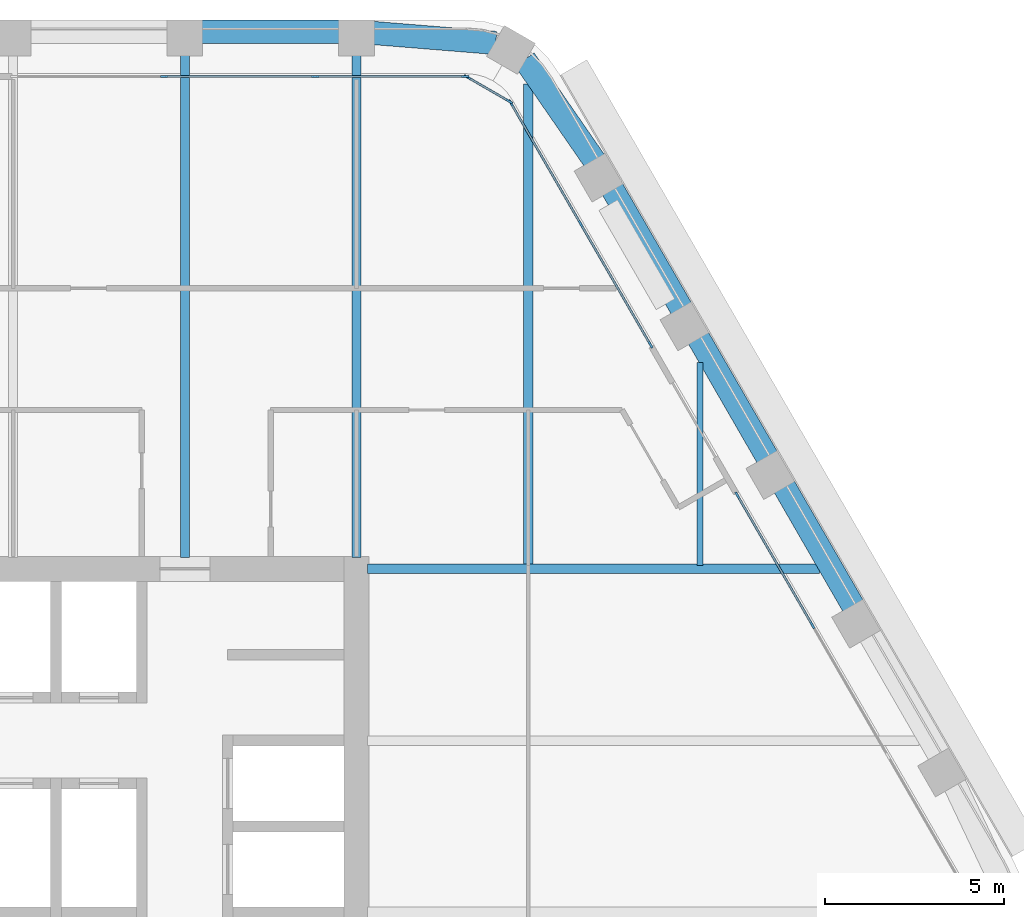
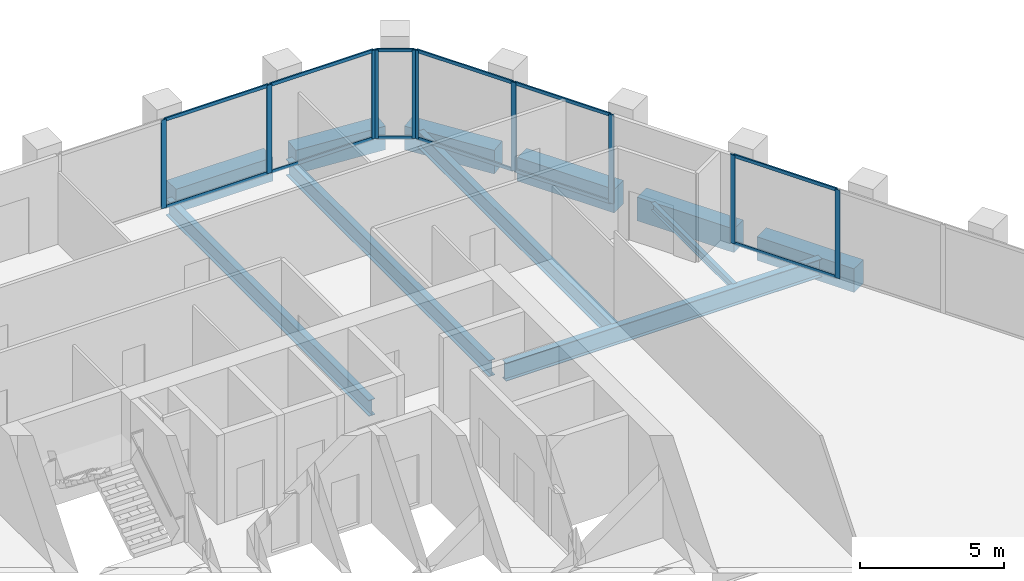
# One storey, part 6 of 15: 22 members, 11 beams, 4 elements without a shape of their own.
"""IFC4 building model written with IfcOpenShell, lengths in metres."""

from ifc_helpers import new_model, si_unit, direction, frame, origin, origin_2d, place, context, subcontext, project, spatial, rectangle, i_section, extrude, material, material_profile, profile_set, type_object, element, aggregate, save


model = new_model("IFC4")

# Units and contexts
model_context = context("Model", 3, precision=1e-05, world=origin(), true_north=direction((0.0, 1.0)))
body_context = subcontext(model_context, "Body", "Model", "MODEL_VIEW")
ifc_project = project(units=[si_unit("LENGTHUNIT", "METRE"), si_unit("AREAUNIT", "SQUARE_METRE"), si_unit("VOLUMEUNIT", "CUBIC_METRE"), si_unit("PLANEANGLEUNIT", "RADIAN"), si_unit("MASSUNIT", "GRAM", prefix="KILO")], contexts=[model_context])

# Site, building, storey
site_placement = place(None, origin())
site = spatial("IfcSite", under=ifc_project, at=site_placement, CompositionType="ELEMENT")
building_placement = place(site_placement, origin())
building = spatial("IfcBuilding", under=site, at=building_placement, Name="Kolab Exchange Tower", CompositionType="ELEMENT")
storey_placement = place(building_placement, frame((0.0, 0.0, 138.800048828125)))
storey = spatial("IfcBuildingStorey", under=building, at=storey_placement, Name="L27", CompositionType="ELEMENT", Elevation=138.800048828125)

# Beams
ifc_material_1 = material(Name="Steel S355", Category="steel")
ifc_material_profile_1 = material_profile(ifc_material_1, i_section(OverallWidth=0.1650390625, OverallDepth=0.31005859375, WebThickness=0.005859375, FlangeThickness=0.009765625, at=origin_2d()), Name="W310X39")
ifc_profile_set_1 = profile_set([ifc_material_profile_1], Name="Steel S355")
beam_type_1 = type_object("IfcBeamType", Name="FLOOR BEAM W310X39", PredefinedType="BEAM", material=ifc_profile_set_1)
beam_1_placement = place(storey_placement, frame((19.199951171875, 9.693603515625, -0.304931640625), z_axis=(0.0, 1.0, 0.0), x_axis=(-1.0, 0.0, 0.0)))
element("IfcBeam", 1, at=beam_1_placement, inside=storey, type_object=beam_type_1, Name="beam/L27/fr/023", PredefinedType="BEAM", context=body_context, shape_type="SweptSolid", body=[
    extrude(i_section(OverallWidth=0.1650390625, OverallDepth=0.31005859375, WebThickness=0.005859375, FlangeThickness=0.009765625, at=origin_2d()), origin(), (0.0, 0.0, 1.0), 5.674072265625),
])
ifc_material_profile_2 = material_profile(ifc_material_1, i_section(OverallWidth=0.25390625, OverallDepth=0.68408203125, WebThickness=0.012451171875, FlangeThickness=0.018798828125, at=origin_2d()), Name="W690X140")
ifc_profile_set_2 = profile_set([ifc_material_profile_2], Name="Steel S355")
beam_type_2 = type_object("IfcBeamType", Name="FLOOR BEAM W690X140", PredefinedType="BEAM", material=ifc_profile_set_2)
for number, where, z_axis, x_axis, name in (
    (2, (4.800048828125, 9.909912109375, -0.491943359375), (0.0, 1.0, 0.0), (-1.0, 0.0, 0.0), "beam/L27/fr/014"),
    (3, (9.60009765625, 9.909912109375, -0.491943359375), (0.0, 1.0, 0.0), (-1.0, 0.0, 0.0), "beam/L27/fr/016"),
):
    element("IfcBeam", number, at=place(storey_placement, frame(where, z_axis=z_axis, x_axis=x_axis)), inside=storey, type_object=beam_type_2, Name=name, PredefinedType="BEAM", context=body_context, shape_type="SweptSolid", body=[
        extrude(i_section(OverallWidth=0.25390625, OverallDepth=0.68408203125, WebThickness=0.012451171875, FlangeThickness=0.018798828125, at=origin_2d()), origin(), (0.0, 0.0, 1.0), 14.071533203125),
    ])
beam_2_placement = place(storey_placement, frame((14.39990234375, 9.693603515625, -0.491943359375), z_axis=(0.0, 1.0, 0.0), x_axis=(-1.0, 0.0, 0.0)))
element("IfcBeam", 4, at=beam_2_placement, inside=storey, type_object=beam_type_2, Name="beam/L27/fr/021", PredefinedType="BEAM", context=body_context, shape_type="SweptSolid", body=[
    extrude(i_section(OverallWidth=0.25390625, OverallDepth=0.68408203125, WebThickness=0.012451171875, FlangeThickness=0.018798828125, at=origin_2d()), origin(), (0.0, 0.0, 1.0), 13.462158203125),
])
ifc_material_profile_3 = material_profile(ifc_material_1, i_section(OverallWidth=0.26708984375, OverallDepth=0.761962890625, WebThickness=0.014404296875, FlangeThickness=0.021484375, at=origin_2d()), Name="W760X173")
ifc_profile_set_3 = profile_set([ifc_material_profile_3], Name="Steel S355")
beam_type_3 = type_object("IfcBeamType", Name="FLOOR GIRDER W760X173", PredefinedType="BEAM", material=ifc_profile_set_3)
beam_3_placement = place(storey_placement, frame((9.909912109375, 9.60009765625, -0.531005859375), z_axis=(1.0, 0.0, 0.0), x_axis=(0.0, 1.0, 0.0)))
element("IfcBeam", 5, at=beam_3_placement, inside=storey, type_object=beam_type_3, Name="beam/L27/gd/003", PredefinedType="BEAM", context=body_context, shape_type="SweptSolid", body=[
    extrude(i_section(OverallWidth=0.26708984375, OverallDepth=0.761962890625, WebThickness=0.014404296875, FlangeThickness=0.021484375, at=origin_2d()), origin(), (0.0, 0.0, 1.0), 12.636962890625),
])
ifc_material_2 = material(Name="Concrete C60/75", Category="concrete")
ifc_material_profile_4 = material_profile(ifc_material_2, rectangle(XDim=0.64990234375, YDim=1.0, at=origin_2d()), Name="RC650X1000")
ifc_profile_set_4 = profile_set([ifc_material_profile_4], Name="Concrete C60/75")
beam_type_4 = type_object("IfcBeamType", Name="SPANDREL BEAM 650X1000 C60/75", PredefinedType="BEAM", material=ifc_profile_set_4)
beam_4_placement = place(storey_placement, frame((5.260009765625, 24.616455078125, -0.650146484375), z_axis=(1.0, 0.0, 0.0), x_axis=(0.0, 1.0, 0.0)))
element("IfcBeam", 6, at=beam_4_placement, inside=storey, type_object=beam_type_4, Name="beam/L27/sp/F1-05", PredefinedType="BEAM", context=body_context, shape_type="SweptSolid", body=[
    extrude(rectangle(XDim=0.64990234375, YDim=1.0, at=origin_2d()), origin(), (0.0, 0.0, 1.0), 3.8798828125),
])
for number, where, z_axis, x_axis, name in (
    (7, (10.06005859375, 24.5791015625, -0.650146484375), (0.996708497182, -0.081068931445, 0.0), (0.081068931445, 0.996708497182, 0.0), "beam/L27/sp/F1-06"),
    (8, (14.29736328125, 23.8359375, -0.650146484375), (0.568572281073, -0.822633309073, 0.0), (0.822633309073, 0.568572281073, 0.0), "beam/L27/sp/F2-01"),
):
    element("IfcBeam", number, at=place(storey_placement, frame(where, z_axis=z_axis, x_axis=x_axis)), inside=storey, type_object=beam_type_4, Name=name, PredefinedType="BEAM", context=body_context, shape_type="SweptSolid", body=[
        extrude(rectangle(XDim=0.64990234375, YDim=1.0, at=origin_2d()), origin(), (0.0, 0.0, 1.0), 3.445068359375),
    ])
beam_5_placement = place(storey_placement, frame((16.74853515625, 20.2236328125, -0.650146484375), z_axis=(0.499996613652, -0.866027358884, 0.0), x_axis=(0.866027358884, 0.499996613652, 0.0)))
element("IfcBeam", 9, at=beam_5_placement, inside=storey, type_object=beam_type_4, Name="beam/L27/sp/F2-02", PredefinedType="BEAM", context=body_context, shape_type="SweptSolid", body=[
    extrude(rectangle(XDim=0.64990234375, YDim=1.0, at=origin_2d()), origin(), (0.0, 0.0, 1.0), 3.8798828125),
])
beam_6_placement = place(storey_placement, frame((19.1484375, 16.06689453125, -0.650146484375), z_axis=(0.50001655835, -0.866015843605, 0.0), x_axis=(0.866015843605, 0.50001655835, 0.0)))
element("IfcBeam", 10, at=beam_6_placement, inside=storey, type_object=beam_type_4, Name="beam/L27/sp/F2-03", PredefinedType="BEAM", context=body_context, shape_type="SweptSolid", body=[
    extrude(rectangle(XDim=0.64990234375, YDim=1.0, at=origin_2d()), origin(), (0.0, 0.0, 1.0), 3.880126953125),
])
beam_7_placement = place(storey_placement, frame((21.548583984375, 11.909912109375, -0.650146484375), z_axis=(0.499996613652, -0.866027358884, 0.0), x_axis=(0.866027358884, 0.499996613652, 0.0)))
element("IfcBeam", 11, at=beam_7_placement, inside=storey, type_object=beam_type_4, Name="beam/L27/sp/F2-04", PredefinedType="BEAM", context=body_context, shape_type="SweptSolid", body=[
    extrude(rectangle(XDim=0.64990234375, YDim=1.0, at=origin_2d()), origin(), (0.0, 0.0, 1.0), 3.8798828125),
])

# Curtain wall, members
ifc_material_3 = material(Name="Aluminium EN AW-6063 T6", Category="aluminium")
curtain_wall_type = type_object("IfcCurtainWallType", Name="UNITISED UPPER MID ZONE CURTAIN WALL", PredefinedType="NOTDEFINED", material=ifc_material_3)
curtain_wall_1_placement = place(storey_placement, origin())
curtain_wall_1 = element("IfcCurtainWall", 12, at=curtain_wall_1_placement, inside=storey, type_object=curtain_wall_type, Name="cw/L27/F1-2", PredefinedType="NOTDEFINED")
ifc_material_profile_5 = material_profile(ifc_material_3, rectangle(XDim=0.06005859375, YDim=0.199951171875, at=origin_2d()), Name="RECT 60X200")
ifc_profile_set_5 = profile_set([ifc_material_profile_5], Name="Aluminium EN AW-6063 T6")
member_type_1 = type_object("IfcMemberType", Name="UNITISED UPPER MID ZONE MULLION 60 X 200", PredefinedType="MULLION", material=ifc_profile_set_5)
member_1_placement = place(storey_placement, frame((4.22265625, 23.361572265625, 0.0), z_axis=(0.0, 0.0, 1.0), x_axis=(0.0, 1.0, 0.0)))
member_1 = element("IfcMember", 13, at=member_1_placement, type_object=member_type_1, Name="CW3 mullion 2", PredefinedType="MULLION", context=body_context, shape_type="SweptSolid", body=[
    extrude(rectangle(XDim=0.06005859375, YDim=0.199951171875, at=origin_2d()), origin(), (0.0, 0.0, 1.0), 3.75),
])
member_2_placement = place(storey_placement, frame((8.4453125, 23.361572265625, 0.0), z_axis=(0.0, 0.0, 1.0), x_axis=(0.0, 1.0, 0.0)))
member_2 = element("IfcMember", 14, at=member_2_placement, type_object=member_type_1, Name="CW3 mullion 3", PredefinedType="MULLION", context=body_context, shape_type="SweptSolid", body=[
    extrude(rectangle(XDim=0.06005859375, YDim=0.199951171875, at=origin_2d()), origin(), (0.0, 0.0, 1.0), 3.75),
])
member_3_placement = place(storey_placement, frame((12.637939453125, 23.361572265625, 0.0), z_axis=(0.0, 0.0, 1.0), x_axis=(0.0, 1.0, 0.0)))
member_3 = element("IfcMember", 15, at=member_3_placement, type_object=member_type_1, Name="CW3 mullion 4", PredefinedType="MULLION", context=body_context, shape_type="SweptSolid", body=[
    extrude(rectangle(XDim=0.06005859375, YDim=0.199951171875, at=origin_2d()), origin(), (0.0, 0.0, 1.0), 3.75),
])

curtain_wall_2_placement = place(storey_placement, origin())
curtain_wall_2 = element("IfcCurtainWall", 16, at=curtain_wall_2_placement, inside=storey, type_object=curtain_wall_type, Name="cw/L27/F2-1", PredefinedType="NOTDEFINED")
member_4_placement = place(storey_placement, frame((13.91259765625, 22.62548828125, 0.0), z_axis=(0.0, 0.0, 1.0), x_axis=(0.866025385493, 0.500000031681, 0.0)))
member_4 = element("IfcMember", 17, at=member_4_placement, type_object=member_type_1, Name="CW3 mullion 1", PredefinedType="MULLION", context=body_context, shape_type="SweptSolid", body=[
    extrude(rectangle(XDim=0.06005859375, YDim=0.199951171875, at=origin_2d()), origin(), (0.0, 0.0, 1.0), 3.75),
])
member_5_placement = place(storey_placement, frame((15.86474609375, 19.24462890625, 0.0), z_axis=(0.0, 0.0, 1.0), x_axis=(0.866025385493, 0.500000031681, 0.0)))
member_5 = element("IfcMember", 18, at=member_5_placement, type_object=member_type_1, Name="CW3 mullion 2", PredefinedType="MULLION", context=body_context, shape_type="SweptSolid", body=[
    extrude(rectangle(XDim=0.06005859375, YDim=0.199951171875, at=origin_2d()), origin(), (0.0, 0.0, 1.0), 3.75),
])
member_6_placement = place(storey_placement, frame((17.816650390625, 15.86376953125, 0.0), z_axis=(0.0, 0.0, 1.0), x_axis=(0.866025385493, 0.500000031681, 0.0)))
member_6 = element("IfcMember", 19, at=member_6_placement, type_object=member_type_1, Name="CW3 mullion 3", PredefinedType="MULLION", context=body_context, shape_type="SweptSolid", body=[
    extrude(rectangle(XDim=0.06005859375, YDim=0.199951171875, at=origin_2d()), origin(), (0.0, 0.0, 1.0), 3.75),
])

curtain_wall_3_placement = place(storey_placement, origin())
curtain_wall_3 = element("IfcCurtainWall", 20, at=curtain_wall_3_placement, inside=storey, type_object=curtain_wall_type, Name="cw/L27/F2-2", PredefinedType="NOTDEFINED")
member_7_placement = place(storey_placement, frame((20.24658203125, 11.65478515625, 0.0), z_axis=(0.0, 0.0, 1.0), x_axis=(0.866025427826, 0.499999958358, 0.0)))
member_7 = element("IfcMember", 21, at=member_7_placement, type_object=member_type_1, Name="CW3 mullion 1", PredefinedType="MULLION", context=body_context, shape_type="SweptSolid", body=[
    extrude(rectangle(XDim=0.06005859375, YDim=0.199951171875, at=origin_2d()), origin(), (0.0, 0.0, 1.0), 3.75),
])
member_8_placement = place(storey_placement, frame((22.343017578125, 8.02392578125, 0.0), z_axis=(0.0, 0.0, 1.0), x_axis=(0.866025427826, 0.499999958358, 0.0)))
member_8 = element("IfcMember", 22, at=member_8_placement, type_object=member_type_1, Name="CW3 mullion 2", PredefinedType="MULLION", context=body_context, shape_type="SweptSolid", body=[
    extrude(rectangle(XDim=0.06005859375, YDim=0.199951171875, at=origin_2d()), origin(), (0.0, 0.0, 1.0), 3.75),
])

curtain_wall_4_placement = place(storey_placement, origin())
curtain_wall_4 = element("IfcCurtainWall", 23, at=curtain_wall_4_placement, inside=storey, type_object=curtain_wall_type, Name="cw/L27/F1F2-corner", PredefinedType="NOTDEFINED")
member_9_placement = place(storey_placement, frame((12.69384765625, 23.346435546875, 0.0), z_axis=(0.0, 0.0, 1.0), x_axis=(0.50000002237, 0.866025390869, 0.0)))
member_9 = element("IfcMember", 24, at=member_9_placement, type_object=member_type_1, Name="CW3 mullion 1", PredefinedType="MULLION", context=body_context, shape_type="SweptSolid", body=[
    extrude(rectangle(XDim=0.06005859375, YDim=0.199951171875, at=origin_2d()), origin(), (0.0, 0.0, 1.0), 3.75),
])
member_10_placement = place(storey_placement, frame((13.871826171875, 22.66650390625, 0.0), z_axis=(0.0, 0.0, 1.0), x_axis=(0.50000002237, 0.866025390869, 0.0)))
member_10 = element("IfcMember", 25, at=member_10_placement, type_object=member_type_1, Name="CW3 mullion 2", PredefinedType="MULLION", context=body_context, shape_type="SweptSolid", body=[
    extrude(rectangle(XDim=0.06005859375, YDim=0.199951171875, at=origin_2d()), origin(), (0.0, 0.0, 1.0), 3.75),
])

# Member
ifc_material_profile_6 = material_profile(ifc_material_3, rectangle(XDim=0.06005859375, YDim=0.139892578125, at=origin_2d()), Name="RECT 60X140")
ifc_profile_set_6 = profile_set([ifc_material_profile_6], Name="Aluminium EN AW-6063 T6")
member_type_2 = type_object("IfcMemberType", Name="UNITISED UPPER MID ZONE TRANSOM 60 X 140", PredefinedType="USERDEFINED", material=ifc_profile_set_6)
member_11_placement = place(storey_placement, frame((4.252685546875, 23.361572265625, 0.030029296875), z_axis=(1.0, 0.0, 0.0), x_axis=(0.0, 1.0, 0.0)))
member_11 = element("IfcMember", 26, at=member_11_placement, type_object=member_type_2, Name="CW3 transom 2.1", ObjectType="TRANSOM", PredefinedType="USERDEFINED", context=body_context, shape_type="SweptSolid", body=[
    extrude(rectangle(XDim=0.06005859375, YDim=0.139892578125, at=origin_2d()), origin(), (0.0, 0.0, 1.0), 4.16259765625),
])

member_12_placement = place(storey_placement, frame((4.252685546875, 23.361572265625, 3.719970703125), z_axis=(1.0, 0.0, 0.0), x_axis=(0.0, 1.0, 0.0)))
member_12 = element("IfcMember", 27, at=member_12_placement, type_object=member_type_2, Name="CW3 transom 2.2", ObjectType="TRANSOM", PredefinedType="USERDEFINED", context=body_context, shape_type="SweptSolid", body=[
    extrude(rectangle(XDim=0.06005859375, YDim=0.139892578125, at=origin_2d()), origin(), (0.0, 0.0, 1.0), 4.16259765625),
])

member_13_placement = place(storey_placement, frame((8.475341796875, 23.361572265625, 0.030029296875), z_axis=(1.0, 0.0, 0.0), x_axis=(0.0, 1.0, 0.0)))
member_13 = element("IfcMember", 28, at=member_13_placement, type_object=member_type_2, Name="CW3 transom 3.1", ObjectType="TRANSOM", PredefinedType="USERDEFINED", context=body_context, shape_type="SweptSolid", body=[
    extrude(rectangle(XDim=0.06005859375, YDim=0.139892578125, at=origin_2d()), origin(), (0.0, 0.0, 1.0), 4.132568359375),
])

member_14_placement = place(storey_placement, frame((8.475341796875, 23.361572265625, 3.719970703125), z_axis=(1.0, 0.0, 0.0), x_axis=(0.0, 1.0, 0.0)))
member_14 = element("IfcMember", 29, at=member_14_placement, type_object=member_type_2, Name="CW3 transom 3.2", ObjectType="TRANSOM", PredefinedType="USERDEFINED", context=body_context, shape_type="SweptSolid", body=[
    extrude(rectangle(XDim=0.06005859375, YDim=0.139892578125, at=origin_2d()), origin(), (0.0, 0.0, 1.0), 4.132568359375),
])

aggregate(curtain_wall_1, [member_1, member_2, member_3, member_11, member_12, member_13, member_14])

member_15_placement = place(storey_placement, frame((13.927734375, 22.599609375, 0.030029296875), z_axis=(0.499964356602, -0.866045981532, 0.0), x_axis=(0.866045981532, 0.499964356602, 0.0)))
member_15 = element("IfcMember", 30, at=member_15_placement, type_object=member_type_2, Name="CW3 transom 1.1", ObjectType="TRANSOM", PredefinedType="USERDEFINED", context=body_context, shape_type="SweptSolid", body=[
    extrude(rectangle(XDim=0.06005859375, YDim=0.139892578125, at=origin_2d()), origin(), (0.0, 0.0, 1.0), 3.843994140625),
])

member_16_placement = place(storey_placement, frame((13.927734375, 22.599609375, 3.719970703125), z_axis=(0.499964356602, -0.866045981532, 0.0), x_axis=(0.866045981532, 0.499964356602, 0.0)))
member_16 = element("IfcMember", 31, at=member_16_placement, type_object=member_type_2, Name="CW3 transom 1.2", ObjectType="TRANSOM", PredefinedType="USERDEFINED", context=body_context, shape_type="SweptSolid", body=[
    extrude(rectangle(XDim=0.06005859375, YDim=0.139892578125, at=origin_2d()), origin(), (0.0, 0.0, 1.0), 3.843994140625),
])

member_17_placement = place(storey_placement, frame((15.879638671875, 19.21875, 0.030029296875), z_axis=(0.500011990396, -0.866018481016, 0.0), x_axis=(0.866018481016, 0.500011990396, 0.0)))
member_17 = element("IfcMember", 32, at=member_17_placement, type_object=member_type_2, Name="CW3 transom 2.1", ObjectType="TRANSOM", PredefinedType="USERDEFINED", context=body_context, shape_type="SweptSolid", body=[
    extrude(rectangle(XDim=0.06005859375, YDim=0.139892578125, at=origin_2d()), origin(), (0.0, 0.0, 1.0), 3.84423828125),
])

member_18_placement = place(storey_placement, frame((15.879638671875, 19.21875, 3.719970703125), z_axis=(0.500011990396, -0.866018481016, 0.0), x_axis=(0.866018481016, 0.500011990396, 0.0)))
member_18 = element("IfcMember", 33, at=member_18_placement, type_object=member_type_2, Name="CW3 transom 2.2", ObjectType="TRANSOM", PredefinedType="USERDEFINED", context=body_context, shape_type="SweptSolid", body=[
    extrude(rectangle(XDim=0.06005859375, YDim=0.139892578125, at=origin_2d()), origin(), (0.0, 0.0, 1.0), 3.84423828125),
])

aggregate(curtain_wall_2, [member_4, member_5, member_6, member_15, member_16, member_17, member_18])

member_19_placement = place(storey_placement, frame((20.26171875, 11.62890625, 0.030029296875), z_axis=(0.500001996123, -0.866024251319, 0.0), x_axis=(0.866024251319, 0.500001996123, 0.0)))
member_19 = element("IfcMember", 34, at=member_19_placement, type_object=member_type_2, Name="CW3 transom 1.1", ObjectType="TRANSOM", PredefinedType="USERDEFINED", context=body_context, shape_type="SweptSolid", body=[
    extrude(rectangle(XDim=0.06005859375, YDim=0.139892578125, at=origin_2d()), origin(), (0.0, 0.0, 1.0), 4.1328125),
])

member_20_placement = place(storey_placement, frame((20.26171875, 11.62890625, 3.719970703125), z_axis=(0.500001996123, -0.866024251319, 0.0), x_axis=(0.866024251319, 0.500001996123, 0.0)))
member_20 = element("IfcMember", 35, at=member_20_placement, type_object=member_type_2, Name="CW3 transom 1.2", ObjectType="TRANSOM", PredefinedType="USERDEFINED", context=body_context, shape_type="SweptSolid", body=[
    extrude(rectangle(XDim=0.06005859375, YDim=0.139892578125, at=origin_2d()), origin(), (0.0, 0.0, 1.0), 4.1328125),
])

aggregate(curtain_wall_3, [member_7, member_8, member_19, member_20])

member_21_placement = place(storey_placement, frame((12.719970703125, 23.33154296875, 0.030029296875), z_axis=(0.86603858612, -0.49997716683, 0.0), x_axis=(0.49997716683, 0.86603858612, 0.0)))
member_21 = element("IfcMember", 36, at=member_21_placement, type_object=member_type_2, Name="CW3 transom 1.1", ObjectType="TRANSOM", PredefinedType="USERDEFINED", context=body_context, shape_type="SweptSolid", body=[
    extrude(rectangle(XDim=0.06005859375, YDim=0.139892578125, at=origin_2d()), origin(), (0.0, 0.0, 1.0), 1.2998046875),
])

member_22_placement = place(storey_placement, frame((12.719970703125, 23.33154296875, 3.719970703125), z_axis=(0.86603858612, -0.49997716683, 0.0), x_axis=(0.49997716683, 0.86603858612, 0.0)))
member_22 = element("IfcMember", 37, at=member_22_placement, type_object=member_type_2, Name="CW3 transom 1.2", ObjectType="TRANSOM", PredefinedType="USERDEFINED", context=body_context, shape_type="SweptSolid", body=[
    extrude(rectangle(XDim=0.06005859375, YDim=0.139892578125, at=origin_2d()), origin(), (0.0, 0.0, 1.0), 1.2998046875),
])

aggregate(curtain_wall_4, [member_9, member_10, member_21, member_22])

save(model, "model.ifc")
